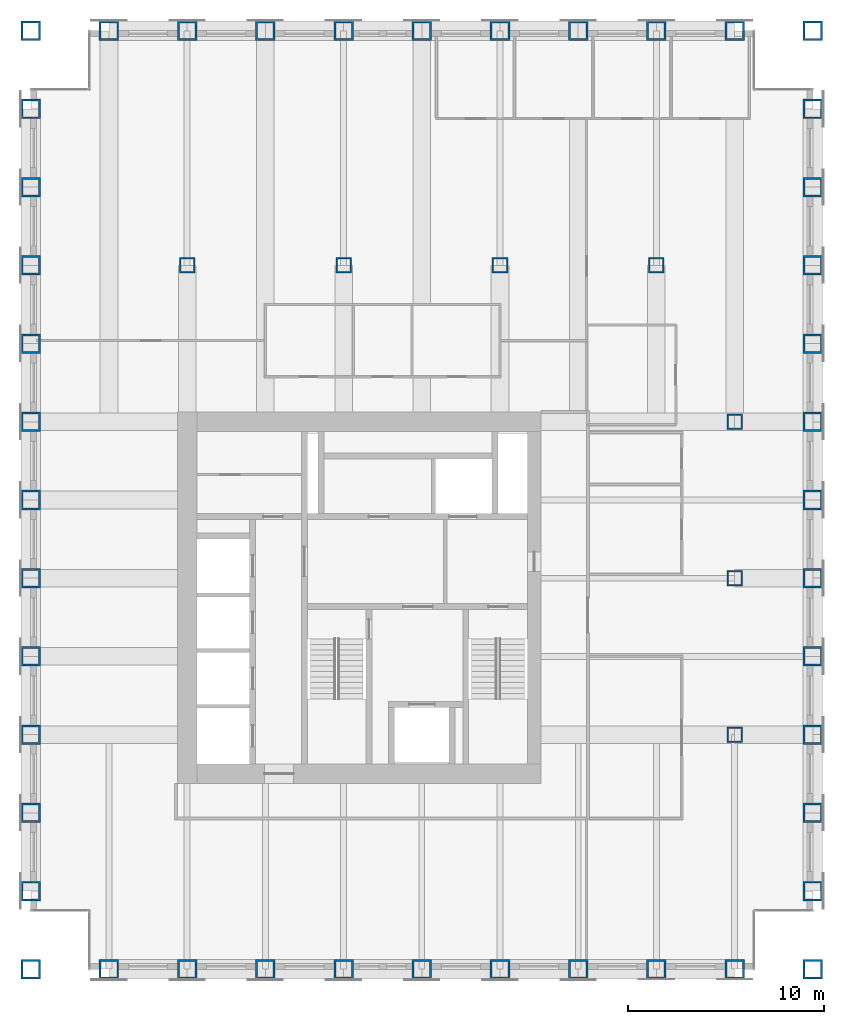
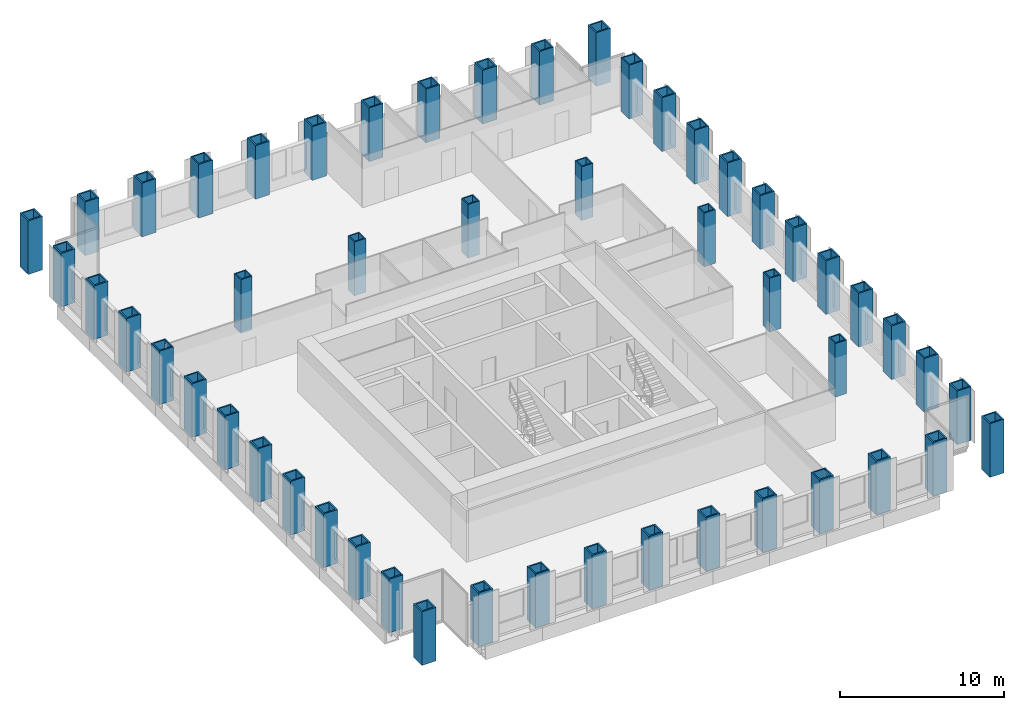
# One storey, part 1 of 13: 51 columns.
"""IFC4 building model written with IfcOpenShell, lengths in metres."""

from ifc_helpers import new_model, si_unit, direction, frame, origin, origin_2d, place, context, subcontext, project, spatial, hollow_rectangle, extrude, material, material_profile, profile_set, type_object, element, save


model = new_model("IFC4")

# Units and contexts
model_context = context("Model", 3, precision=1e-05, world=origin(), true_north=direction((0.0, 1.0)))
body_context = subcontext(model_context, "Body", "Model", "MODEL_VIEW")
ifc_project = project(units=[si_unit("LENGTHUNIT", "METRE"), si_unit("AREAUNIT", "SQUARE_METRE"), si_unit("VOLUMEUNIT", "CUBIC_METRE"), si_unit("PLANEANGLEUNIT", "RADIAN"), si_unit("MASSUNIT", "GRAM", prefix="KILO")], contexts=[model_context])

# Site, building, storey
site_placement = place(None, origin())
site = spatial("IfcSite", under=ifc_project, at=site_placement, CompositionType="ELEMENT")
building_placement = place(site_placement, origin())
building = spatial("IfcBuilding", under=site, at=building_placement, Name="Rimbunsela Tower", CompositionType="ELEMENT")
storey_placement = place(building_placement, frame((0.0, 0.0, 222.199951171875)))
storey = spatial("IfcBuildingStorey", under=building, at=storey_placement, Name="L53", CompositionType="ELEMENT", Elevation=222.199951171875)

# Columns
ifc_material_1 = material(Name="Steel BJ 55 (fy 410 MPa)", Category="steel")
ifc_material_profile_1 = material_profile(ifc_material_1, hollow_rectangle(XDim=1.0, YDim=1.0, WallThickness=0.10009765625, at=origin_2d()), Name="BOX 1000x1000x100")
ifc_profile_set_1 = profile_set([ifc_material_profile_1], Name="Steel BJ 55 (fy 410 MPa)")
column_type_1 = type_object("IfcColumnType", Name="Column BOX 1000x1000x100", PredefinedType="COLUMN", material=ifc_profile_set_1)
for number, where, z_axis, x_axis, name in (
    (1, (10.0, 8.0, 0.0), (0.0, 0.0, 1.0), (1.0, 0.0, 0.0), "Column C1 5/D L53"),
    (2, (10.0, 12.0, 0.0), (0.0, 0.0, 1.0), (1.0, 0.0, 0.0), "Column C1 5/E L53"),
    (3, (10.0, 16.0, 0.0), (0.0, 0.0, 1.0), (1.0, 0.0, 0.0), "Column C1 5/F L53"),
    (4, (10.0, 20.0, 0.0), (0.0, 0.0, 1.0), (1.0, 0.0, 0.0), "Column C1 5/G L53"),
    (5, (10.0, 24.0, 0.0), (0.0, 0.0, 1.0), (1.0, 0.0, 0.0), "Column C1 5/H L53"),
    (6, (10.0, 28.0, 0.0), (0.0, 0.0, 1.0), (1.0, 0.0, 0.0), "Column C1 5/J L53"),
    (7, (10.0, 32.0, 0.0), (0.0, 0.0, 1.0), (1.0, 0.0, 0.0), "Column C1 5/K L53"),
    (8, (10.0, 36.0, 0.0), (0.0, 0.0, 1.0), (1.0, 0.0, 0.0), "Column C1 5/L L53"),
    (9, (10.0, 40.0, 0.0), (0.0, 0.0, 1.0), (1.0, 0.0, 0.0), "Column C1 5/M L53"),
    (10, (10.0, 44.0, 0.0), (0.0, 0.0, 1.0), (1.0, 0.0, 0.0), "Column C1 5/N L53"),
    (11, (10.0, 48.0, 0.0), (0.0, 0.0, 1.0), (1.0, 0.0, 0.0), "Column C1 5/P L53"),
    (12, (10.0, 52.0, 0.0), (0.0, 0.0, 1.0), (1.0, 0.0, 0.0), "Column C1 5/Q L53"),
    (13, (10.0, 56.0, 0.0), (0.0, 0.0, 1.0), (1.0, 0.0, 0.0), "Column C1 5/R L53"),
    (14, (14.0, 8.0, 0.0), (0.0, 0.0, 1.0), (1.0, 0.0, 0.0), "Column C1 6/D L53"),
    (15, (14.0, 56.0, 0.0), (0.0, 0.0, 1.0), (1.0, 0.0, 0.0), "Column C1 6/R L53"),
    (16, (18.0, 8.0, 0.0), (0.0, 0.0, 1.0), (1.0, 0.0, 0.0), "Column C1 7/D L53"),
    (17, (18.0, 56.0, 0.0), (0.0, 0.0, 1.0), (1.0, 0.0, 0.0), "Column C1 7/R L53"),
    (18, (22.0, 8.0, 0.0), (0.0, 0.0, 1.0), (1.0, 0.0, 0.0), "Column C1 8/D L53"),
    (19, (22.0, 56.0, 0.0), (0.0, 0.0, 1.0), (1.0, 0.0, 0.0), "Column C1 8/R L53"),
    (20, (26.0, 8.0, 0.0), (0.0, 0.0, 1.0), (1.0, 0.0, 0.0), "Column C1 9/D L53"),
    (21, (26.0, 56.0, 0.0), (0.0, 0.0, 1.0), (1.0, 0.0, 0.0), "Column C1 9/R L53"),
    (22, (30.0, 8.0, 0.0), (0.0, 0.0, 1.0), (1.0, 0.0, 0.0), "Column C1 10/D L53"),
    (23, (30.0, 56.0, 0.0), (0.0, 0.0, 1.0), (1.0, 0.0, 0.0), "Column C1 10/R L53"),
    (24, (34.0, 8.0, 0.0), (0.0, 0.0, 1.0), (1.0, 0.0, 0.0), "Column C1 11/D L53"),
    (25, (34.0, 56.0, 0.0), (0.0, 0.0, 1.0), (1.0, 0.0, 0.0), "Column C1 11/R L53"),
    (26, (38.0, 8.0, 0.0), (0.0, 0.0, 1.0), (1.0, 0.0, 0.0), "Column C1 12/D L53"),
    (27, (38.0, 56.0, 0.0), (0.0, 0.0, 1.0), (1.0, 0.0, 0.0), "Column C1 12/R L53"),
    (28, (42.0, 8.0, 0.0), (0.0, 0.0, 1.0), (1.0, 0.0, 0.0), "Column C1 13/D L53"),
    (29, (42.0, 56.0, 0.0), (0.0, 0.0, 1.0), (1.0, 0.0, 0.0), "Column C1 13/R L53"),
    (30, (46.0, 8.0, 0.0), (0.0, 0.0, 1.0), (1.0, 0.0, 0.0), "Column C1 14/D L53"),
    (31, (46.0, 56.0, 0.0), (0.0, 0.0, 1.0), (1.0, 0.0, 0.0), "Column C1 14/R L53"),
    (32, (50.0, 8.0, 0.0), (0.0, 0.0, 1.0), (1.0, 0.0, 0.0), "Column C1 15/D L53"),
    (33, (50.0, 12.0, 0.0), (0.0, 0.0, 1.0), (1.0, 0.0, 0.0), "Column C1 15/E L53"),
    (34, (50.0, 16.0, 0.0), (0.0, 0.0, 1.0), (1.0, 0.0, 0.0), "Column C1 15/F L53"),
    (35, (50.0, 20.0, 0.0), (0.0, 0.0, 1.0), (1.0, 0.0, 0.0), "Column C1 15/G L53"),
    (36, (50.0, 24.0, 0.0), (0.0, 0.0, 1.0), (1.0, 0.0, 0.0), "Column C1 15/H L53"),
    (37, (50.0, 28.0, 0.0), (0.0, 0.0, 1.0), (1.0, 0.0, 0.0), "Column C1 15/J L53"),
    (38, (50.0, 32.0, 0.0), (0.0, 0.0, 1.0), (1.0, 0.0, 0.0), "Column C1 15/K L53"),
    (39, (50.0, 36.0, 0.0), (0.0, 0.0, 1.0), (1.0, 0.0, 0.0), "Column C1 15/L L53"),
    (40, (50.0, 40.0, 0.0), (0.0, 0.0, 1.0), (1.0, 0.0, 0.0), "Column C1 15/M L53"),
    (41, (50.0, 44.0, 0.0), (0.0, 0.0, 1.0), (1.0, 0.0, 0.0), "Column C1 15/N L53"),
    (42, (50.0, 48.0, 0.0), (0.0, 0.0, 1.0), (1.0, 0.0, 0.0), "Column C1 15/P L53"),
    (43, (50.0, 52.0, 0.0), (0.0, 0.0, 1.0), (1.0, 0.0, 0.0), "Column C1 15/Q L53"),
    (44, (50.0, 56.0, 0.0), (0.0, 0.0, 1.0), (1.0, 0.0, 0.0), "Column C1 15/R L53"),
):
    element("IfcColumn", number, at=place(storey_placement, frame(where, z_axis=z_axis, x_axis=x_axis)), inside=storey, type_object=column_type_1, Name=name, PredefinedType="COLUMN", context=body_context, shape_type="SweptSolid", body=[
        extrude(hollow_rectangle(XDim=1.0, YDim=1.0, WallThickness=0.10009765625, at=origin_2d()), origin(), (0.0, 0.0, 1.0), 4.0),
    ])
ifc_material_2 = material(Name="Steel BJ 55 (fy 410 MPa)", Category="steel")
ifc_material_profile_2 = material_profile(ifc_material_2, hollow_rectangle(XDim=0.800048828125, YDim=0.800048828125, WallThickness=0.080078125, at=origin_2d()), Name="BOX 800x800x80")
ifc_profile_set_2 = profile_set([ifc_material_profile_2], Name="Steel BJ 55 (fy 410 MPa)")
column_type_2 = type_object("IfcColumnType", Name="Column BOX 800x800x80", PredefinedType="COLUMN", material=ifc_profile_set_2)
for number, where, z_axis, x_axis, name in (
    (45, (18.0, 44.0, 0.0), (0.0, 0.0, 1.0), (1.0, 0.0, 0.0), "Column C2 7/N L53"),
    (46, (26.0, 44.0, 0.0), (0.0, 0.0, 1.0), (1.0, 0.0, 0.0), "Column C2 9/N L53"),
    (47, (34.0, 44.0, 0.0), (0.0, 0.0, 1.0), (1.0, 0.0, 0.0), "Column C2 11/N L53"),
    (48, (42.0, 44.0, 0.0), (0.0, 0.0, 1.0), (1.0, 0.0, 0.0), "Column C2 13/N L53"),
    (49, (46.0, 20.0, 0.0), (0.0, 0.0, 1.0), (1.0, 0.0, 0.0), "Column C2 14/G L53"),
    (50, (46.0, 28.0, 0.0), (0.0, 0.0, 1.0), (1.0, 0.0, 0.0), "Column C2 14/J L53"),
    (51, (46.0, 36.0, 0.0), (0.0, 0.0, 1.0), (1.0, 0.0, 0.0), "Column C2 14/L L53"),
):
    element("IfcColumn", number, at=place(storey_placement, frame(where, z_axis=z_axis, x_axis=x_axis)), inside=storey, type_object=column_type_2, Name=name, PredefinedType="COLUMN", context=body_context, shape_type="SweptSolid", body=[
        extrude(hollow_rectangle(XDim=0.800048828125, YDim=0.800048828125, WallThickness=0.080078125, at=origin_2d()), origin(), (0.0, 0.0, 1.0), 4.0),
    ])

save(model, "model.ifc")
